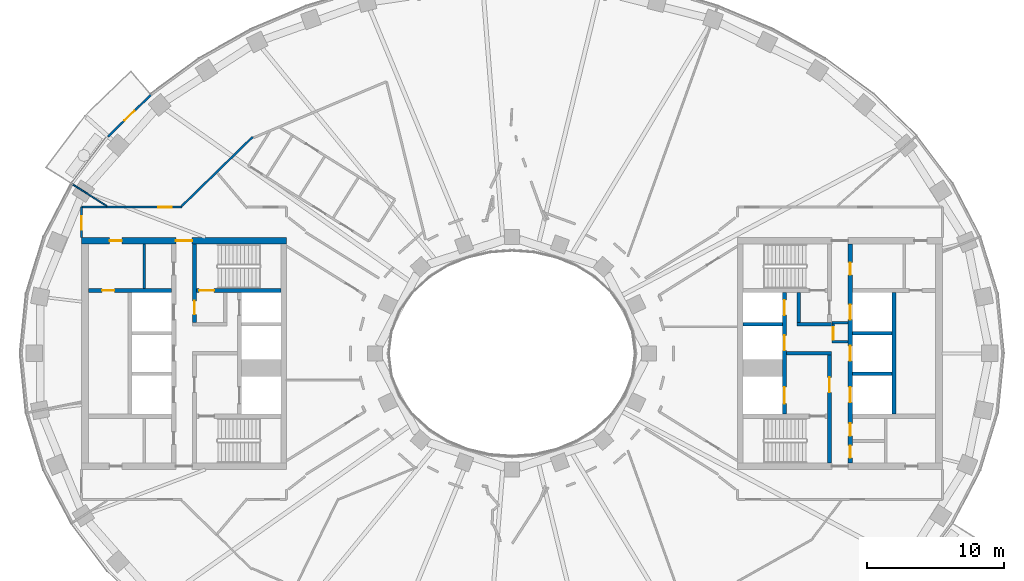
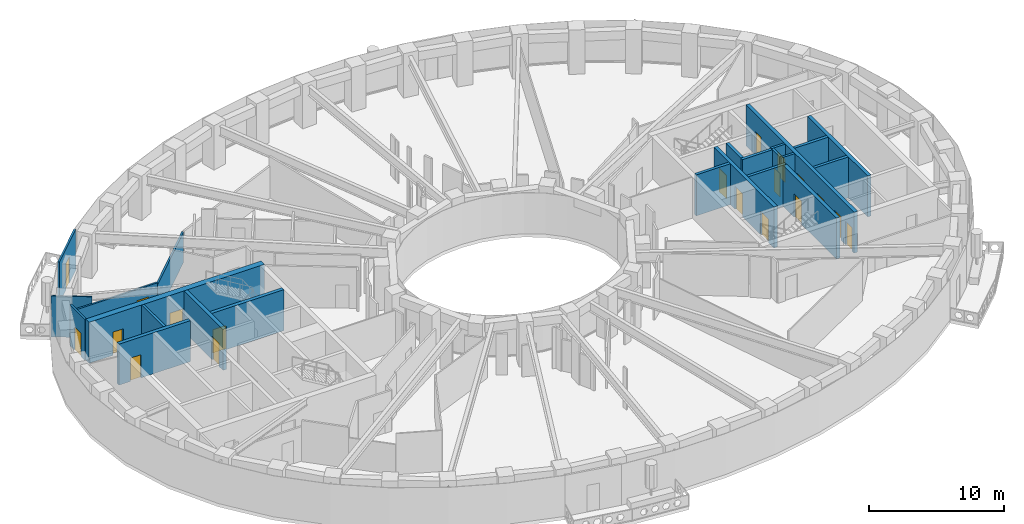
# One storey, part 5 of 16: 23 walls, 19 doors, 19 openings.
"""IFC4 building model written with IfcOpenShell, lengths in metres."""

import ifcopenshell
import ifcopenshell.guid

model = None  # the IFC model being written
_history = None  # IfcOwnerHistory: only IFC2X3 demands one
_inside = {}  # id of a spatial element -> (the spatial element, [elements in it])
_under = {}  # id of a project, library or spatial element -> (it, [spatial elements below it])
_declared = {}  # id of a project -> (the project, [libraries it declares])
_typed = {}  # id of a type object -> (the type object, [elements of that type])
_made_of = {}  # id of a material, layer set ... -> (it, [elements and type objects made of it])


def new_model(schema):
    """Start an empty IFC model of exactly this schema.

    Asked for "IFC4X3", IfcOpenShell would pick the latest addendum, in which some entities
    have other attributes; the version numbers below select the first issue.
    IFC2X3 requires an IfcOwnerHistory on every rooted entity: one is made here for all.
    """
    global model, _history
    if schema == "IFC4X3":
        model = ifcopenshell.file(schema_version=(4, 3, 0, 0))
    else:
        model = ifcopenshell.file(schema=schema)
    _inside.clear()
    _under.clear()
    _declared.clear()
    _typed.clear()
    _made_of.clear()
    _history = None
    if model.schema == "IFC2X3":
        org = make("IfcOrganization", Name="unknown")
        user = make(
            "IfcPersonAndOrganization",
            ThePerson=make("IfcPerson", FamilyName="unknown"),
            TheOrganization=org,
        )
        app = make(
            "IfcApplication",
            ApplicationDeveloper=org,
            Version="unknown",
            ApplicationFullName="unknown",
            ApplicationIdentifier="unknown",
        )
        _history = make(
            "IfcOwnerHistory",
            OwningUser=user,
            OwningApplication=app,
            ChangeAction="ADDED",
            CreationDate=0,
        )
    return model


def make(cls, **values):
    """One entity of the class cls with the attributes given. An attribute that is None is left unset."""
    return model.create_entity(
        cls, **{name: value for name, value in values.items() if value is not None}
    )


def rooted(cls, **values):
    """An entity with a GlobalId (a new one), such as an element, a storey or a relation."""
    return make(cls, GlobalId=ifcopenshell.guid.new(), OwnerHistory=_history, **values)


def si_unit(unit_type, name, prefix=None):
    """IfcSIUnit, for example si_unit("LENGTHUNIT", "METRE", prefix="MILLI")."""
    return make("IfcSIUnit", UnitType=unit_type, Prefix=prefix, Name=name)


def assignment(units):
    """IfcUnitAssignment: the units of a project."""
    return None if units is None else make("IfcUnitAssignment", Units=units)


def point(xyz):
    """IfcCartesianPoint."""
    return None if xyz is None else make("IfcCartesianPoint", Coordinates=xyz)


def direction(xyz):
    """IfcDirection."""
    return None if xyz is None else make("IfcDirection", DirectionRatios=xyz)


def frame(location, z_axis=None, x_axis=None):
    """IfcAxis2Placement3D, a coordinate frame: its origin and axes. An axis left out is left unset."""
    return make(
        "IfcAxis2Placement3D",
        Location=point(location),
        Axis=direction(z_axis),
        RefDirection=direction(x_axis),
    )


def frame_2d(location, x_axis=None):
    """IfcAxis2Placement2D, a coordinate frame in the plane: its origin and x axis."""
    return make(
        "IfcAxis2Placement2D", Location=point(location), RefDirection=direction(x_axis)
    )


def origin():
    """The frame at (0, 0, 0) with its axes left unset."""
    return frame((0.0, 0.0, 0.0))


def place(relative_to, where):
    """IfcLocalPlacement: puts the frame where relative to a parent placement (None: the world)."""
    return make(
        "IfcLocalPlacement", PlacementRelTo=relative_to, RelativePlacement=where
    )


def context(
    kind, dimensions, precision=None, world=None, true_north=None, identifier=None
):
    """IfcGeometricRepresentationContext, for example the 3D "Model" context."""
    return make(
        "IfcGeometricRepresentationContext",
        ContextIdentifier=identifier,
        ContextType=kind,
        CoordinateSpaceDimension=dimensions,
        Precision=precision,
        WorldCoordinateSystem=world,
        TrueNorth=true_north,
    )


def subcontext(parent, identifier, kind, view, scale=None):
    """IfcGeometricRepresentationSubContext, for example "Body" below "Model"."""
    return make(
        "IfcGeometricRepresentationSubContext",
        ContextIdentifier=identifier,
        ContextType=kind,
        ParentContext=parent,
        TargetScale=scale,
        TargetView=view,
    )


def project(units=None, contexts=None):
    """IfcProject with its units and contexts."""
    return rooted(
        "IfcProject",
        Name="project",
        RepresentationContexts=contexts,
        UnitsInContext=assignment(units),
    )


def spatial(cls, under=None, at=None, **own):
    """A site, building, storey or space (cls), placed at a placement, below another one or the project."""
    s = rooted(cls, ObjectPlacement=at, **own)
    if under is not None:
        _under.setdefault(under.id(), (under, []))[1].append(s)
    return s


def profile(cls, at=None, kind="AREA", **sizes):
    """A parametric profile (cls). Its sizes go by their IFC names, for example OverallWidth=200.0."""
    return make(cls, ProfileType=kind, Position=at, **sizes)


def rectangle(**sizes):
    """IfcRectangleProfileDef."""
    return profile("IfcRectangleProfileDef", **sizes)


def extrude(swept, where, along, depth):
    """IfcExtrudedAreaSolid: the profile swept, set in the frame where, extruded along a direction by depth."""
    return make(
        "IfcExtrudedAreaSolid",
        SweptArea=swept,
        Position=where,
        ExtrudedDirection=direction(along),
        Depth=depth,
    )


def shape(context_of_items, identifier, shape_type, items):
    """IfcShapeRepresentation: the items that make up one representation, for example the "Body"."""
    return make(
        "IfcShapeRepresentation",
        ContextOfItems=context_of_items,
        RepresentationIdentifier=identifier,
        RepresentationType=shape_type,
        Items=items,
    )


def material(Name=None, Category=None):
    """IfcMaterial."""
    return make("IfcMaterial", Name=Name, Category=Category)


def layer(
    of_material, thickness, ventilated=None, Name=None, Category=None, Priority=None
):
    """IfcMaterialLayer: one layer of a wall or slab, of a material (None: an air gap)."""
    return make(
        "IfcMaterialLayer",
        Material=of_material,
        LayerThickness=thickness,
        IsVentilated=ventilated,
        Name=Name,
        Category=Category,
        Priority=Priority,
    )


def layer_set(layers, Name=None):
    """IfcMaterialLayerSet."""
    return make("IfcMaterialLayerSet", MaterialLayers=layers, LayerSetName=Name)


def made_of(thing, what):
    """Note that an element or type object is made of a material, layer set ...; save() writes the relation."""
    if what is not None:
        _made_of.setdefault(what.id(), (what, []))[1].append(thing)
    return thing


def type_object(cls, material=None, **own):
    """A type object (cls), such as IfcWallType, which elements share."""
    return made_of(rooted(cls, **own), material)


def element(
    cls,
    number,
    at=None,
    inside=None,
    cuts=None,
    type_object=None,
    material=None,
    context=None,
    identifier="Body",
    shape_type=None,
    held_by="IfcProductDefinitionShape",
    body=None,
    shapes=None,
    **own,
):
    """One element of the class cls, such as IfcWall. Its Tag is "e" and its number.

    at: its placement. inside: the storey or other place that contains it. cuts: it is an
    opening in that element (IfcRelVoidsElement). A single representation is given by context,
    identifier, shape_type and body (its items); several are given by shapes. held_by: the class
    of the entity that holds the representations. save() writes the other relations.
    """
    e = rooted(cls, Tag="e%d" % number, ObjectPlacement=at, **own)
    if body is not None:
        shapes = [shape(context, identifier, shape_type, body)]
    if shapes is not None:
        e.Representation = make(held_by, Representations=shapes)
    if inside is not None:
        _inside.setdefault(inside.id(), (inside, []))[1].append(e)
    if cuts is not None:
        rooted(
            "IfcRelVoidsElement", RelatingBuildingElement=cuts, RelatedOpeningElement=e
        )
    if type_object is not None:
        _typed.setdefault(type_object.id(), (type_object, []))[1].append(e)
    return made_of(e, material)


def fill(opening, filler):
    """IfcRelFillsElement: the door or window that sits in an opening."""
    return rooted(
        "IfcRelFillsElement",
        RelatingOpeningElement=opening,
        RelatedBuildingElement=filler,
    )


def aggregate(whole, parts):
    """IfcRelAggregates: a whole, such as a stair, and the parts it consists of."""
    return rooted("IfcRelAggregates", RelatingObject=whole, RelatedObjects=parts)


def save(model, path):
    """Write the relations noted so far, then the file.

    IfcRelAggregates (storeys below a building ...), IfcRelContainedInSpatialStructure (elements
    in a storey), IfcRelDefinesByType, IfcRelAssociatesMaterial and IfcRelDeclares: one each for
    every whole, place, type object, material and project.
    """
    for whole, parts in _under.values():
        aggregate(whole, parts)
    for where, things in _inside.values():
        rooted(
            "IfcRelContainedInSpatialStructure",
            RelatedElements=things,
            RelatingStructure=where,
        )
    for kind, things in _typed.values():
        rooted("IfcRelDefinesByType", RelatedObjects=things, RelatingType=kind)
    for what, things in _made_of.values():
        rooted("IfcRelAssociatesMaterial", RelatedObjects=things, RelatingMaterial=what)
    for by, libraries in _declared.values():
        rooted("IfcRelDeclares", RelatingContext=by, RelatedDefinitions=libraries)
    model.write(path)


model = new_model("IFC4")

# Units and contexts
model_context = context("Model", 3, precision=1e-05, world=origin(), true_north=direction((0.0, 1.0)))
body_context = subcontext(model_context, "Body", "Model", "MODEL_VIEW")
ifc_project = project(units=[si_unit("LENGTHUNIT", "METRE"), si_unit("AREAUNIT", "SQUARE_METRE"), si_unit("VOLUMEUNIT", "CUBIC_METRE"), si_unit("PLANEANGLEUNIT", "RADIAN"), si_unit("MASSUNIT", "GRAM", prefix="KILO")], contexts=[model_context])

# Site, building, storey
site_placement = place(None, origin())
site = spatial("IfcSite", under=ifc_project, at=site_placement, CompositionType="ELEMENT")
building_placement = place(site_placement, origin())
building = spatial("IfcBuilding", under=site, at=building_placement, Name="Noorbagh Ring Tower", CompositionType="ELEMENT")
storey_placement = place(building_placement, frame((0.0, 0.0, 154.0)))
storey = spatial("IfcBuildingStorey", under=building, at=storey_placement, Name="L35", CompositionType="ELEMENT", Elevation=154.0)

# Walls
ifc_material_1 = material(Name="Gypsum board on steel studs", Category="steel")
ifc_layer_1 = layer(ifc_material_1, 0.199951171875)
ifc_layer_set_1 = layer_set([ifc_layer_1], Name="Gypsum board on steel studs")
wall_type_1 = type_object("IfcWallType", Name="CORE-PARTITION-200", PredefinedType="PARTITIONING", material=ifc_layer_set_1)
wall_1_placement = place(storey_placement, frame((-26.89990234375, 4.75, 0.0), z_axis=(0.0, 0.0, 1.0), x_axis=(0.0, 1.0, 0.0)))
element("IfcWall", 1, at=wall_1_placement, inside=storey, type_object=wall_type_1, Name="Core partition W", PredefinedType="PARTITIONING", context=body_context, shape_type="SweptSolid", body=[
    extrude(rectangle(XDim=3.25, YDim=0.199951171875, at=frame_2d((1.625, 0.0))), origin(), (0.0, 0.0, 1.0), 3.699951171875),
])
for number, where, z_axis, x_axis, name in (
    (2, (23.39990234375, 0.85009765625, 0.0), (0.0, 0.0, 1.0), (1.0, 0.0, 0.0), "Core partition E"),
    (3, (23.39990234375, 2.25, 0.0), (0.0, 0.0, 1.0), (1.0, 0.0, 0.0), "Core partition E"),
):
    element("IfcWall", number, at=place(storey_placement, frame(where, z_axis=z_axis, x_axis=x_axis)), inside=storey, type_object=wall_type_1, Name=name, PredefinedType="PARTITIONING", context=body_context, shape_type="SweptSolid", body=[
        extrude(rectangle(XDim=1.2001953125, YDim=0.199951171875, at=frame_2d((0.60009765625, 0.0))), origin(), (0.0, 0.0, 1.0), 3.699951171875),
    ])

# Wall, opening, door
wall_2_placement = place(storey_placement, frame((23.5, 0.75, 0.0), z_axis=(0.0, 0.0, 1.0), x_axis=(0.0, 1.0, 0.0)))
wall_2 = element("IfcWall", 4, at=wall_2_placement, inside=storey, type_object=wall_type_1, Name="Core partition E", PredefinedType="PARTITIONING", context=body_context, shape_type="SweptSolid", body=[
    extrude(rectangle(XDim=1.60009765625, YDim=0.199951171875, at=frame_2d((0.800048828125, 0.0))), origin(), (0.0, 0.0, 1.0), 3.699951171875),
])
opening_1_placement = place(wall_2_placement, frame((0.25, 0.0, 0.0)))
opening_1 = element("IfcOpeningElement", 5, at=opening_1_placement, cuts=wall_2, Name="Opening L35-CE18", PredefinedType="OPENING", context=body_context, shape_type="SweptSolid", body=[
    extrude(rectangle(XDim=0.89990234375, YDim=2.10009765625, at=frame_2d((0.449951171875, 1.050048828125))), frame((0.0, 0.10986328125, 0.0), z_axis=(0.0, -1.0, 0.0), x_axis=(1.0, 0.0, 0.0)), (0.0, 0.0, 1.0), 0.219970703125),
])
ifc_material_2 = material(Name="Steel door leaf", Category="steel")
door_type_1 = type_object("IfcDoorType", Name="CORE-DOOR-DROOM", OperationType="SINGLE_SWING_LEFT", PredefinedType="DOOR", material=ifc_material_2)
door_1_placement = place(opening_1_placement, origin())
door_1 = element("IfcDoor", 6, at=door_1_placement, inside=storey, type_object=door_type_1, Name="Core room door L35-CE18", OperationType="SINGLE_SWING_LEFT", OverallHeight=2.10009765625, OverallWidth=0.89990234375, PredefinedType="DOOR", context=body_context, shape_type="SweptSolid", body=[
    extrude(rectangle(XDim=0.89990234375, YDim=2.10009765625, at=frame_2d((0.449951171875, 1.050048828125))), frame((0.0, 0.02490234375, 0.0), z_axis=(0.0, -1.0, 0.0), x_axis=(1.0, 0.0, 0.0)), (0.0, 0.0, 1.0), 0.050048828125),
])
fill(opening_1, door_1)

# Walls
ifc_material_3 = material(Name="Concrete C60/75", Category="concrete")
ifc_layer_2 = layer(ifc_material_3, 0.25)
ifc_layer_set_2 = layer_set([ifc_layer_2], Name="Concrete C60/75")
wall_type_2 = type_object("IfcWallType", Name="CORE-WALL-250-C60-75-EI120", PredefinedType="SHEAR", material=ifc_layer_set_2)
for number, where, z_axis, x_axis, name in (
    (7, (16.89990234375, 2.125, 0.0), (0.0, 0.0, 1.0), (1.0, 0.0, 0.0), "Core wall E"),
    (8, (24.89990234375, -1.47509765625, 0.0), (0.0, 0.0, 1.0), (1.0, 0.0, 0.0), "Core wall E"),
    (9, (24.89990234375, 1.47509765625, 0.0), (0.0, 0.0, 1.0), (1.0, 0.0, 0.0), "Core wall E"),
):
    element("IfcWall", number, at=place(storey_placement, frame(where, z_axis=z_axis, x_axis=x_axis)), inside=storey, type_object=wall_type_2, Name=name, PredefinedType="SHEAR", context=body_context, shape_type="SweptSolid", body=[
        extrude(rectangle(XDim=2.900146484375, YDim=0.25, at=frame_2d((1.4501953125, 0.0))), origin(), (0.0, 0.0, 1.0), 3.699951171875),
    ])
ifc_material_4 = material(Name="Concrete C60/75", Category="concrete")
ifc_layer_3 = layer(ifc_material_4, 0.25)
ifc_layer_set_3 = layer_set([ifc_layer_3], Name="Concrete C60/75")
wall_type_3 = type_object("IfcWallType", Name="CORE-WALL-250-C60-75-EI240", PredefinedType="SHEAR", material=ifc_layer_set_3)
wall_3_placement = place(storey_placement, frame((20.10009765625, 0.0, 0.0), z_axis=(0.0, 0.0, 1.0), x_axis=(1.0, 0.0, 0.0)))
element("IfcWall", 10, at=wall_3_placement, inside=storey, type_object=wall_type_3, Name="Core wall E", PredefinedType="SHEAR", context=body_context, shape_type="SweptSolid", body=[
    extrude(rectangle(XDim=3.27978515625, YDim=0.25, at=frame_2d((1.639892578125, 0.0))), origin(), (0.0, 0.0, 1.0), 3.699951171875),
])
wall_4_placement = place(storey_placement, frame((20.85009765625, 2.125, 0.0), z_axis=(0.0, 0.0, 1.0), x_axis=(1.0, 0.0, 0.0)))
element("IfcWall", 11, at=wall_4_placement, inside=storey, type_object=wall_type_3, Name="Core wall E", PredefinedType="SHEAR", context=body_context, shape_type="SweptSolid", body=[
    extrude(rectangle(XDim=2.52978515625, YDim=0.25, at=frame_2d((1.264892578125, 0.0))), origin(), (0.0, 0.0, 1.0), 3.699951171875),
])
wall_5_placement = place(storey_placement, frame((20.97509765625, 2.25, 0.0), z_axis=(0.0, 0.0, 1.0), x_axis=(0.0, 1.0, 0.0)))
element("IfcWall", 12, at=wall_5_placement, inside=storey, type_object=wall_type_3, Name="Core wall E", PredefinedType="SHEAR", context=body_context, shape_type="SweptSolid", body=[
    extrude(rectangle(XDim=2.199951171875, YDim=0.25, at=frame_2d((1.10009765625, 0.0))), origin(), (0.0, 0.0, 1.0), 3.699951171875),
])
ifc_material_5 = material(Name="Concrete C60/75", Category="concrete")
ifc_layer_4 = layer(ifc_material_5, 0.300048828125)
ifc_layer_set_4 = layer_set([ifc_layer_4], Name="Concrete C60/75")
wall_type_4 = type_object("IfcWallType", Name="CORE-WALL-300-C60-75-EI120", PredefinedType="SHEAR", material=ifc_layer_set_4)
wall_6_placement = place(storey_placement, frame((27.949951171875, -4.449951171875, 0.0), z_axis=(0.0, 0.0, 1.0), x_axis=(0.0, 1.0, 0.0)))
element("IfcWall", 13, at=wall_6_placement, inside=storey, type_object=wall_type_4, Name="Core wall E", PredefinedType="SHEAR", context=body_context, shape_type="SweptSolid", body=[
    extrude(rectangle(XDim=8.89990234375, YDim=0.300048828125, at=frame_2d((4.449951171875, 0.0))), origin(), (0.0, 0.0, 1.0), 3.699951171875),
])

# Wall, openings, doors
wall_7_placement = place(storey_placement, frame((19.949951171875, -4.449951171875, 0.0), z_axis=(0.0, 0.0, 1.0), x_axis=(0.0, 1.0, 0.0)))
wall_7 = element("IfcWall", 14, at=wall_7_placement, inside=storey, type_object=wall_type_4, Name="Core wall E", PredefinedType="SHEAR", context=body_context, shape_type="SweptSolid", body=[
    extrude(rectangle(XDim=8.89990234375, YDim=0.300048828125, at=frame_2d((4.449951171875, 0.0))), origin(), (0.0, 0.0, 1.0), 3.699951171875),
])
opening_2_placement = place(wall_7_placement, frame((0.77490234375, 0.0, 0.0)))
opening_2 = element("IfcOpeningElement", 15, at=opening_2_placement, cuts=wall_7, Name="Opening L35-CE01", PredefinedType="OPENING", context=body_context, shape_type="SweptSolid", body=[
    extrude(rectangle(XDim=1.199951171875, YDim=2.10009765625, at=frame_2d((0.60009765625, 1.050048828125))), frame((0.0, 0.16015625, 0.0), z_axis=(0.0, -1.0, 0.0), x_axis=(1.0, 0.0, 0.0)), (0.0, 0.0, 1.0), 0.320068359375),
])
opening_3_placement = place(wall_7_placement, frame((4.675048828125, 0.0, 0.0)))
opening_3 = element("IfcOpeningElement", 16, at=opening_3_placement, cuts=wall_7, Name="Opening L35-CE02", PredefinedType="OPENING", context=body_context, shape_type="SweptSolid", body=[
    extrude(rectangle(XDim=1.10009765625, YDim=2.10009765625, at=frame_2d((0.550048828125, 1.050048828125))), frame((0.0, 0.16015625, 0.0), z_axis=(0.0, -1.0, 0.0), x_axis=(1.0, 0.0, 0.0)), (0.0, 0.0, 1.0), 0.320068359375),
])
opening_4_placement = place(wall_7_placement, frame((7.25, 0.0, 0.0)))
opening_4 = element("IfcOpeningElement", 17, at=opening_4_placement, cuts=wall_7, Name="Opening L35-CE03", PredefinedType="OPENING", context=body_context, shape_type="SweptSolid", body=[
    extrude(rectangle(XDim=1.10009765625, YDim=2.10009765625, at=frame_2d((0.550048828125, 1.050048828125))), frame((0.0, 0.16015625, 0.0), z_axis=(0.0, -1.0, 0.0), x_axis=(1.0, 0.0, 0.0)), (0.0, 0.0, 1.0), 0.320068359375),
])
ifc_material_6 = material(Name="Steel door leaf", Category="steel")
door_type_2 = type_object("IfcDoorType", Name="CORE-DOOR-LD", OperationType="DOUBLE_DOOR_SLIDING", PredefinedType="DOOR", material=ifc_material_6)
door_2_placement = place(opening_3_placement, origin())
door_2 = element("IfcDoor", 18, at=door_2_placement, inside=storey, type_object=door_type_2, Name="Landing door HR7 L35-CE02", OperationType="DOUBLE_DOOR_SLIDING", OverallHeight=2.10009765625, OverallWidth=1.10009765625, PredefinedType="DOOR", context=body_context, shape_type="SweptSolid", body=[
    extrude(rectangle(XDim=1.10009765625, YDim=2.10009765625, at=frame_2d((0.550048828125, 1.050048828125))), frame((0.0, 0.02490234375, 0.0), z_axis=(0.0, -1.0, 0.0), x_axis=(1.0, 0.0, 0.0)), (0.0, 0.0, 1.0), 0.050048828125),
])
fill(opening_3, door_2)
door_3_placement = place(opening_4_placement, origin())
door_3 = element("IfcDoor", 19, at=door_3_placement, inside=storey, type_object=door_type_2, Name="Landing door HR8 L35-CE03", OperationType="DOUBLE_DOOR_SLIDING", OverallHeight=2.10009765625, OverallWidth=1.10009765625, PredefinedType="DOOR", context=body_context, shape_type="SweptSolid", body=[
    extrude(rectangle(XDim=1.10009765625, YDim=2.10009765625, at=frame_2d((0.550048828125, 1.050048828125))), frame((0.0, 0.02490234375, 0.0), z_axis=(0.0, -1.0, 0.0), x_axis=(1.0, 0.0, 0.0)), (0.0, 0.0, 1.0), 0.050048828125),
])
fill(opening_4, door_3)
ifc_material_7 = material(Name="Steel door leaf", Category="steel")
door_type_3 = type_object("IfcDoorType", Name="CORE-DOOR-LDW", OperationType="DOUBLE_DOOR_SLIDING", PredefinedType="DOOR", material=ifc_material_7)
door_4_placement = place(opening_2_placement, origin())
door_4 = element("IfcDoor", 20, at=door_4_placement, inside=storey, type_object=door_type_3, Name="Landing door FF2 L35-CE01", OperationType="DOUBLE_DOOR_SLIDING", OverallHeight=2.10009765625, OverallWidth=1.199951171875, PredefinedType="DOOR", context=body_context, shape_type="SweptSolid", body=[
    extrude(rectangle(XDim=1.199951171875, YDim=2.10009765625, at=frame_2d((0.60009765625, 1.050048828125))), frame((0.0, 0.02490234375, 0.0), z_axis=(0.0, -1.0, 0.0), x_axis=(1.0, 0.0, 0.0)), (0.0, 0.0, 1.0), 0.050048828125),
])
fill(opening_2, door_4)

wall_8_placement = place(storey_placement, frame((24.75, -8.0, 0.0), z_axis=(0.0, 0.0, 1.0), x_axis=(0.0, 1.0, 0.0)))
wall_8 = element("IfcWall", 21, at=wall_8_placement, inside=storey, type_object=wall_type_4, Name="Core wall E", PredefinedType="SHEAR", context=body_context, shape_type="SweptSolid", body=[
    extrude(rectangle(XDim=16.0, YDim=0.300048828125, at=frame_2d((8.0, 0.0))), origin(), (0.0, 0.0, 1.0), 3.699951171875),
])
opening_5_placement = place(wall_8_placement, frame((4.425048828125, 0.0, 0.0)))
opening_5 = element("IfcOpeningElement", 22, at=opening_5_placement, cuts=wall_8, Name="Opening L35-CE04", PredefinedType="OPENING", context=body_context, shape_type="SweptSolid", body=[
    extrude(rectangle(XDim=1.10009765625, YDim=2.10009765625, at=frame_2d((0.550048828125, 1.050048828125))), frame((0.0, 0.16015625, 0.0), z_axis=(0.0, -1.0, 0.0), x_axis=(1.0, 0.0, 0.0)), (0.0, 0.0, 1.0), 0.320068359375),
])
opening_6_placement = place(wall_8_placement, frame((7.449951171875, 0.0, 0.0)))
opening_6 = element("IfcOpeningElement", 23, at=opening_6_placement, cuts=wall_8, Name="Opening L35-CE05", PredefinedType="OPENING", context=body_context, shape_type="SweptSolid", body=[
    extrude(rectangle(XDim=1.10009765625, YDim=2.10009765625, at=frame_2d((0.550048828125, 1.050048828125))), frame((0.0, 0.16015625, 0.0), z_axis=(0.0, -1.0, 0.0), x_axis=(1.0, 0.0, 0.0)), (0.0, 0.0, 1.0), 0.320068359375),
])
opening_7_placement = place(wall_8_placement, frame((10.47509765625, 0.0, 0.0)))
opening_7 = element("IfcOpeningElement", 24, at=opening_7_placement, cuts=wall_8, Name="Opening L35-CE06", PredefinedType="OPENING", context=body_context, shape_type="SweptSolid", body=[
    extrude(rectangle(XDim=1.10009765625, YDim=2.10009765625, at=frame_2d((0.550048828125, 1.050048828125))), frame((0.0, 0.16015625, 0.0), z_axis=(0.0, -1.0, 0.0), x_axis=(1.0, 0.0, 0.0)), (0.0, 0.0, 1.0), 0.320068359375),
])
opening_8_placement = place(wall_8_placement, frame((13.75, 0.0, 0.0)))
opening_8 = element("IfcOpeningElement", 25, at=opening_8_placement, cuts=wall_8, Name="Opening L35-CE13", PredefinedType="OPENING", context=body_context, shape_type="SweptSolid", body=[
    extrude(rectangle(XDim=0.89990234375, YDim=2.10009765625, at=frame_2d((0.449951171875, 1.050048828125))), frame((0.0, 0.16015625, 0.0), z_axis=(0.0, -1.0, 0.0), x_axis=(1.0, 0.0, 0.0)), (0.0, 0.0, 1.0), 0.320068359375),
])
opening_9_placement = place(wall_8_placement, frame((1.97509765625, 0.0, 0.0)))
opening_9 = element("IfcOpeningElement", 26, at=opening_9_placement, cuts=wall_8, Name="Opening L35-CE15", PredefinedType="OPENING", context=body_context, shape_type="SweptSolid", body=[
    extrude(rectangle(XDim=0.89990234375, YDim=2.10009765625, at=frame_2d((0.449951171875, 1.050048828125))), frame((0.0, 0.16015625, 0.0), z_axis=(0.0, -1.0, 0.0), x_axis=(1.0, 0.0, 0.0)), (0.0, 0.0, 1.0), 0.320068359375),
])
opening_10_placement = place(wall_8_placement, frame((0.35009765625, 0.0, 0.0)))
opening_10 = element("IfcOpeningElement", 27, at=opening_10_placement, cuts=wall_8, Name="Opening L35-CE16", PredefinedType="OPENING", context=body_context, shape_type="SweptSolid", body=[
    extrude(rectangle(XDim=0.89990234375, YDim=2.10009765625, at=frame_2d((0.449951171875, 1.050048828125))), frame((0.0, 0.16015625, 0.0), z_axis=(0.0, -1.0, 0.0), x_axis=(1.0, 0.0, 0.0)), (0.0, 0.0, 1.0), 0.320068359375),
])
door_5_placement = place(opening_8_placement, origin())
door_5 = element("IfcDoor", 28, at=door_5_placement, inside=storey, type_object=door_type_1, Name="Core room door L35-CE13", OperationType="SINGLE_SWING_LEFT", OverallHeight=2.10009765625, OverallWidth=0.89990234375, PredefinedType="DOOR", context=body_context, shape_type="SweptSolid", body=[
    extrude(rectangle(XDim=0.89990234375, YDim=2.10009765625, at=frame_2d((0.449951171875, 1.050048828125))), frame((0.0, 0.02490234375, 0.0), z_axis=(0.0, -1.0, 0.0), x_axis=(1.0, 0.0, 0.0)), (0.0, 0.0, 1.0), 0.050048828125),
])
fill(opening_8, door_5)
door_6_placement = place(opening_9_placement, origin())
door_6 = element("IfcDoor", 29, at=door_6_placement, inside=storey, type_object=door_type_1, Name="Core room door L35-CE15", OperationType="SINGLE_SWING_LEFT", OverallHeight=2.10009765625, OverallWidth=0.89990234375, PredefinedType="DOOR", context=body_context, shape_type="SweptSolid", body=[
    extrude(rectangle(XDim=0.89990234375, YDim=2.10009765625, at=frame_2d((0.449951171875, 1.050048828125))), frame((0.0, 0.02490234375, 0.0), z_axis=(0.0, -1.0, 0.0), x_axis=(1.0, 0.0, 0.0)), (0.0, 0.0, 1.0), 0.050048828125),
])
fill(opening_9, door_6)
door_7_placement = place(opening_10_placement, origin())
door_7 = element("IfcDoor", 30, at=door_7_placement, inside=storey, type_object=door_type_1, Name="Core room door L35-CE16", OperationType="SINGLE_SWING_RIGHT", OverallHeight=2.10009765625, OverallWidth=0.89990234375, PredefinedType="DOOR", context=body_context, shape_type="SweptSolid", body=[
    extrude(rectangle(XDim=0.89990234375, YDim=2.10009765625, at=frame_2d((0.449951171875, 1.050048828125))), frame((0.0, 0.02490234375, 0.0), z_axis=(0.0, -1.0, 0.0), x_axis=(1.0, 0.0, 0.0)), (0.0, 0.0, 1.0), 0.050048828125),
])
fill(opening_10, door_7)
door_8_placement = place(opening_5_placement, origin())
door_8 = element("IfcDoor", 31, at=door_8_placement, inside=storey, type_object=door_type_2, Name="Landing door HR9 L35-CE04", OperationType="DOUBLE_DOOR_SLIDING", OverallHeight=2.10009765625, OverallWidth=1.10009765625, PredefinedType="DOOR", context=body_context, shape_type="SweptSolid", body=[
    extrude(rectangle(XDim=1.10009765625, YDim=2.10009765625, at=frame_2d((0.550048828125, 1.050048828125))), frame((0.0, 0.02490234375, 0.0), z_axis=(0.0, -1.0, 0.0), x_axis=(1.0, 0.0, 0.0)), (0.0, 0.0, 1.0), 0.050048828125),
])
fill(opening_5, door_8)
door_9_placement = place(opening_6_placement, origin())
door_9 = element("IfcDoor", 32, at=door_9_placement, inside=storey, type_object=door_type_2, Name="Landing door HR10 L35-CE05", OperationType="DOUBLE_DOOR_SLIDING", OverallHeight=2.10009765625, OverallWidth=1.10009765625, PredefinedType="DOOR", context=body_context, shape_type="SweptSolid", body=[
    extrude(rectangle(XDim=1.10009765625, YDim=2.10009765625, at=frame_2d((0.550048828125, 1.050048828125))), frame((0.0, 0.02490234375, 0.0), z_axis=(0.0, -1.0, 0.0), x_axis=(1.0, 0.0, 0.0)), (0.0, 0.0, 1.0), 0.050048828125),
])
fill(opening_6, door_9)
door_10_placement = place(opening_7_placement, origin())
door_10 = element("IfcDoor", 33, at=door_10_placement, inside=storey, type_object=door_type_2, Name="Landing door HR11 L35-CE06", OperationType="DOUBLE_DOOR_SLIDING", OverallHeight=2.10009765625, OverallWidth=1.10009765625, PredefinedType="DOOR", context=body_context, shape_type="SweptSolid", body=[
    extrude(rectangle(XDim=1.10009765625, YDim=2.10009765625, at=frame_2d((0.550048828125, 1.050048828125))), frame((0.0, 0.02490234375, 0.0), z_axis=(0.0, -1.0, 0.0), x_axis=(1.0, 0.0, 0.0)), (0.0, 0.0, 1.0), 0.050048828125),
])
fill(opening_7, door_10)

# Wall, opening, door
ifc_material_8 = material(Name="Concrete C60/75", Category="concrete")
ifc_layer_5 = layer(ifc_material_8, 0.300048828125)
ifc_layer_set_5 = layer_set([ifc_layer_5], Name="Concrete C60/75")
wall_type_5 = type_object("IfcWallType", Name="CORE-WALL-300-C60-75-EI240", PredefinedType="SHEAR", material=ifc_layer_set_5)
wall_9_placement = place(storey_placement, frame((-24.89990234375, 4.60009765625, 0.0), z_axis=(0.0, 0.0, 1.0), x_axis=(-1.0, 0.0, 0.0)))
wall_9 = element("IfcWall", 34, at=wall_9_placement, inside=storey, type_object=wall_type_5, Name="Core wall W", PredefinedType="SHEAR", context=body_context, shape_type="SweptSolid", body=[
    extrude(rectangle(XDim=6.10009765625, YDim=0.300048828125, at=frame_2d((3.050048828125, 0.0))), origin(), (0.0, 0.0, 1.0), 3.699951171875),
])
opening_11_placement = place(wall_9_placement, frame((4.199951171875, 0.0, 0.0)))
opening_11 = element("IfcOpeningElement", 35, at=opening_11_placement, cuts=wall_9, Name="Opening L35-CW16", PredefinedType="OPENING", context=body_context, shape_type="SweptSolid", body=[
    extrude(rectangle(XDim=0.89990234375, YDim=2.10009765625, at=frame_2d((0.449951171875, 1.050048828125))), frame((0.0, 0.16015625, 0.0), z_axis=(0.0, -1.0, 0.0), x_axis=(1.0, 0.0, 0.0)), (0.0, 0.0, 1.0), 0.320068359375),
])
door_11_placement = place(opening_11_placement, origin())
door_11 = element("IfcDoor", 36, at=door_11_placement, inside=storey, type_object=door_type_1, Name="Core room door L35-CW16", OperationType="SINGLE_SWING_LEFT", OverallHeight=2.10009765625, OverallWidth=0.89990234375, PredefinedType="DOOR", context=body_context, shape_type="SweptSolid", body=[
    extrude(rectangle(XDim=0.89990234375, YDim=2.10009765625, at=frame_2d((0.449951171875, 1.050048828125))), frame((0.0, 0.02490234375, 0.0), z_axis=(0.0, -1.0, 0.0), x_axis=(1.0, 0.0, 0.0)), (0.0, 0.0, 1.0), 0.050048828125),
])
fill(opening_11, door_11)

wall_10_placement = place(storey_placement, frame((-23.22998046875, 2.25, 0.0), z_axis=(0.0, 0.0, 1.0), x_axis=(0.0, 1.0, 0.0)))
wall_10 = element("IfcWall", 37, at=wall_10_placement, inside=storey, type_object=wall_type_5, Name="Core wall W", PredefinedType="SHEAR", context=body_context, shape_type="SweptSolid", body=[
    extrude(rectangle(XDim=5.75, YDim=0.300048828125, at=frame_2d((2.875, 0.0))), origin(), (0.0, 0.0, 1.0), 3.699951171875),
])
opening_12_placement = place(wall_10_placement, frame((0.60009765625, 0.0, 0.0)))
opening_12 = element("IfcOpeningElement", 38, at=opening_12_placement, cuts=wall_10, Name="Opening L35-CW09", PredefinedType="OPENING", context=body_context, shape_type="SweptSolid", body=[
    extrude(rectangle(XDim=1.0, YDim=2.10009765625, at=frame_2d((0.5, 1.050048828125))), frame((0.0, 0.16015625, 0.0), z_axis=(0.0, -1.0, 0.0), x_axis=(1.0, 0.0, 0.0)), (0.0, 0.0, 1.0), 0.320068359375),
])
ifc_material_9 = material(Name="Steel door leaf", Category="steel")
door_type_4 = type_object("IfcDoorType", Name="CORE-DOOR-DVEST", OperationType="SINGLE_SWING_LEFT", PredefinedType="DOOR", material=ifc_material_9)
door_12_placement = place(opening_12_placement, origin())
door_12 = element("IfcDoor", 39, at=door_12_placement, inside=storey, type_object=door_type_4, Name="Stair vestibule door L35-CW09", OperationType="SINGLE_SWING_LEFT", OverallHeight=2.10009765625, OverallWidth=1.0, PredefinedType="DOOR", context=body_context, shape_type="SweptSolid", body=[
    extrude(rectangle(XDim=1.0, YDim=2.10009765625, at=frame_2d((0.5, 1.050048828125))), frame((0.0, 0.02490234375, 0.0), z_axis=(0.0, -1.0, 0.0), x_axis=(1.0, 0.0, 0.0)), (0.0, 0.0, 1.0), 0.050048828125),
])
fill(opening_12, door_12)

wall_11_placement = place(storey_placement, frame((-16.89990234375, 4.60009765625, 0.0), z_axis=(0.0, 0.0, 1.0), x_axis=(-1.0, 0.0, 0.0)))
wall_11 = element("IfcWall", 40, at=wall_11_placement, inside=storey, type_object=wall_type_5, Name="Core wall W", PredefinedType="SHEAR", context=body_context, shape_type="SweptSolid", body=[
    extrude(rectangle(XDim=6.18017578125, YDim=0.300048828125, at=frame_2d((3.090087890625, 0.0))), origin(), (0.0, 0.0, 1.0), 3.699951171875),
])
opening_13_placement = place(wall_11_placement, frame((4.89990234375, 0.0, 0.0)))
opening_13 = element("IfcOpeningElement", 41, at=opening_13_placement, cuts=wall_11, Name="Opening L35-CW06", PredefinedType="OPENING", context=body_context, shape_type="SweptSolid", body=[
    extrude(rectangle(XDim=1.10009765625, YDim=2.10009765625, at=frame_2d((0.550048828125, 1.050048828125))), frame((0.0, 0.16015625, 0.0), z_axis=(0.0, -1.0, 0.0), x_axis=(1.0, 0.0, 0.0)), (0.0, 0.0, 1.0), 0.320068359375),
])
ifc_material_10 = material(Name="Steel door leaf", Category="steel")
door_type_5 = type_object("IfcDoorType", Name="CORE-DOOR-DSTAIR", OperationType="SINGLE_SWING_LEFT", PredefinedType="DOOR", material=ifc_material_10)
door_13_placement = place(opening_13_placement, origin())
door_13 = element("IfcDoor", 42, at=door_13_placement, inside=storey, type_object=door_type_5, Name="Stair door ST1 L35-CW06", OperationType="SINGLE_SWING_RIGHT", OverallHeight=2.10009765625, OverallWidth=1.10009765625, PredefinedType="DOOR", context=body_context, shape_type="SweptSolid", body=[
    extrude(rectangle(XDim=1.10009765625, YDim=2.10009765625, at=frame_2d((0.550048828125, 1.050048828125))), frame((0.0, 0.02490234375, 0.0), z_axis=(0.0, -1.0, 0.0), x_axis=(1.0, 0.0, 0.0)), (0.0, 0.0, 1.0), 0.050048828125),
])
fill(opening_13, door_13)

wall_12_placement = place(storey_placement, frame((23.22998046875, -8.0, 0.0), z_axis=(0.0, 0.0, 1.0), x_axis=(0.0, 1.0, 0.0)))
wall_12 = element("IfcWall", 43, at=wall_12_placement, inside=storey, type_object=wall_type_5, Name="Core wall E", PredefinedType="SHEAR", context=body_context, shape_type="SweptSolid", body=[
    extrude(rectangle(XDim=7.875, YDim=0.300048828125, at=frame_2d((3.9375, 0.0))), origin(), (0.0, 0.0, 1.0), 3.699951171875),
])
opening_14_placement = place(wall_12_placement, frame((5.14990234375, 0.0, 0.0)))
opening_14 = element("IfcOpeningElement", 44, at=opening_14_placement, cuts=wall_12, Name="Opening L35-CE09", PredefinedType="OPENING", context=body_context, shape_type="SweptSolid", body=[
    extrude(rectangle(XDim=1.10009765625, YDim=2.10009765625, at=frame_2d((0.550048828125, 1.050048828125))), frame((0.0, 0.16015625, 0.0), z_axis=(0.0, -1.0, 0.0), x_axis=(1.0, 0.0, 0.0)), (0.0, 0.0, 1.0), 0.320068359375),
])
ifc_material_11 = material(Name="Steel door leaf", Category="steel")
door_type_6 = type_object("IfcDoorType", Name="CORE-DOOR-DFF", OperationType="SINGLE_SWING_LEFT", PredefinedType="DOOR", material=ifc_material_11)
door_14_placement = place(opening_14_placement, origin())
door_14 = element("IfcDoor", 45, at=door_14_placement, inside=storey, type_object=door_type_6, Name="Firefighting lobby door L35-CE09", OperationType="SINGLE_SWING_RIGHT", OverallHeight=2.10009765625, OverallWidth=1.10009765625, PredefinedType="DOOR", context=body_context, shape_type="SweptSolid", body=[
    extrude(rectangle(XDim=1.10009765625, YDim=2.10009765625, at=frame_2d((0.550048828125, 1.050048828125))), frame((0.0, 0.02490234375, 0.0), z_axis=(0.0, -1.0, 0.0), x_axis=(1.0, 0.0, 0.0)), (0.0, 0.0, 1.0), 0.050048828125),
])
fill(opening_14, door_14)

# Wall, openings, doors
ifc_material_12 = material(Name="Concrete C60/75", Category="concrete")
ifc_layer_6 = layer(ifc_material_12, 0.5)
ifc_layer_set_6 = layer_set([ifc_layer_6], Name="Concrete C60/75")
wall_type_6 = type_object("IfcWallType", Name="CORE-WALL-500-C60-75-EI240", PredefinedType="SHEAR", material=ifc_layer_set_6)
wall_13_placement = place(storey_placement, frame((-16.5, 8.25, 0.0), z_axis=(0.0, 0.0, 1.0), x_axis=(-1.0, 0.0, 0.0)))
wall_13 = element("IfcWall", 46, at=wall_13_placement, inside=storey, type_object=wall_type_6, Name="Core wall W", PredefinedType="SHEAR", context=body_context, shape_type="SweptSolid", body=[
    extrude(rectangle(XDim=15.0, YDim=0.5, at=frame_2d((7.5, 0.0))), origin(), (0.0, 0.0, 1.0), 3.699951171875),
])
opening_15_placement = place(wall_13_placement, frame((6.89990234375, 0.0, 0.0)))
opening_15 = element("IfcOpeningElement", 47, at=opening_15_placement, cuts=wall_13, Name="Opening L35-CW10", PredefinedType="OPENING", context=body_context, shape_type="SweptSolid", body=[
    extrude(rectangle(XDim=1.199951171875, YDim=2.10009765625, at=frame_2d((0.60009765625, 1.050048828125))), frame((0.0, 0.260009765625, 0.0), z_axis=(0.0, -1.0, 0.0), x_axis=(1.0, 0.0, 0.0)), (0.0, 0.0, 1.0), 0.52001953125),
])
opening_16_placement = place(wall_13_placement, frame((12.050048828125, 0.0, 0.0)))
opening_16 = element("IfcOpeningElement", 48, at=opening_16_placement, cuts=wall_13, Name="Opening L35-CW13", PredefinedType="OPENING", context=body_context, shape_type="SweptSolid", body=[
    extrude(rectangle(XDim=0.89990234375, YDim=2.10009765625, at=frame_2d((0.449951171875, 1.050048828125))), frame((0.0, 0.260009765625, 0.0), z_axis=(0.0, -1.0, 0.0), x_axis=(1.0, 0.0, 0.0)), (0.0, 0.0, 1.0), 0.52001953125),
])
door_15_placement = place(opening_16_placement, origin())
door_15 = element("IfcDoor", 49, at=door_15_placement, inside=storey, type_object=door_type_1, Name="Core room door L35-CW13", OperationType="SINGLE_SWING_RIGHT", OverallHeight=2.10009765625, OverallWidth=0.89990234375, PredefinedType="DOOR", context=body_context, shape_type="SweptSolid", body=[
    extrude(rectangle(XDim=0.89990234375, YDim=2.10009765625, at=frame_2d((0.449951171875, 1.050048828125))), frame((0.0, 0.02490234375, 0.0), z_axis=(0.0, -1.0, 0.0), x_axis=(1.0, 0.0, 0.0)), (0.0, 0.0, 1.0), 0.050048828125),
])
fill(opening_16, door_15)
ifc_material_13 = material(Name="Steel door leaf", Category="steel")
door_type_7 = type_object("IfcDoorType", Name="CORE-DOOR-PORT", OperationType="DOUBLE_DOOR_DOUBLE_SWING", PredefinedType="DOOR", material=ifc_material_13)
door_16_placement = place(opening_15_placement, origin())
door_16 = element("IfcDoor", 50, at=door_16_placement, inside=storey, type_object=door_type_7, Name="Core entrance door L35-CW10", OperationType="DOUBLE_DOOR_DOUBLE_SWING", OverallHeight=2.10009765625, OverallWidth=1.199951171875, PredefinedType="DOOR", context=body_context, shape_type="SweptSolid", body=[
    extrude(rectangle(XDim=1.199951171875, YDim=2.10009765625, at=frame_2d((0.60009765625, 1.050048828125))), frame((0.0, 0.02490234375, 0.0), z_axis=(0.0, -1.0, 0.0), x_axis=(1.0, 0.0, 0.0)), (0.0, 0.0, 1.0), 0.050048828125),
])
fill(opening_15, door_16)

# Wall, opening, door
ifc_material_14 = material(Name="Gypsum board on steel studs", Category="steel")
ifc_layer_7 = layer(ifc_material_14, 0.14990234375)
ifc_layer_set_7 = layer_set([ifc_layer_7], Name="Gypsum board on steel studs")
wall_type_7 = type_object("IfcWallType", Name="CORRIDOR PARTITION 150 EI 30", PredefinedType="PARTITIONING", material=ifc_layer_set_7)
wall_14_placement = place(storey_placement, frame((-31.5, 8.5, 0.0), z_axis=(0.0, 0.0, 1.0), x_axis=(0.0, 1.0, 0.0)))
wall_14 = element("IfcWall", 51, at=wall_14_placement, inside=storey, type_object=wall_type_7, Name="L35/wall/P06", PredefinedType="PARTITIONING", context=body_context, shape_type="SweptSolid", body=[
    extrude(rectangle(XDim=2.199951171875, YDim=0.14990234375, at=frame_2d((1.10009765625, 0.0))), origin(), (0.0, 0.0, 1.0), 3.699951171875),
])
opening_17_placement = place(wall_14_placement, frame((0.550048828125, 0.0, 0.0)))
opening_17 = element("IfcOpeningElement", 52, at=opening_17_placement, cuts=wall_14, Name="Opening D1", PredefinedType="OPENING", context=body_context, shape_type="SweptSolid", body=[
    extrude(rectangle(XDim=1.0, YDim=2.10009765625, at=frame_2d((0.5, 1.050048828125))), frame((0.0, 0.0849609375, 0.0), z_axis=(0.0, -1.0, 0.0), x_axis=(1.0, 0.0, 0.0)), (0.0, 0.0, 1.0), 0.169921875),
])
ifc_material_15 = material(Name="Timber, painted", Category="wood")
door_type_8 = type_object("IfcDoorType", Name="DOOR 1000 X 2100 FD30", OperationType="SINGLE_SWING_LEFT", PredefinedType="DOOR", material=ifc_material_15)
door_17_placement = place(opening_17_placement, origin())
door_17 = element("IfcDoor", 53, at=door_17_placement, inside=storey, type_object=door_type_8, Name="L35-D07", OperationType="SINGLE_SWING_LEFT", OverallHeight=2.10009765625, OverallWidth=1.0, PredefinedType="DOOR", context=body_context, shape_type="SweptSolid", body=[
    extrude(rectangle(XDim=1.0, YDim=2.10009765625, at=frame_2d((0.5, 1.050048828125))), frame((0.0, 0.02490234375, 0.0), z_axis=(0.0, -1.0, 0.0), x_axis=(1.0, 0.0, 0.0)), (0.0, 0.0, 1.0), 0.050048828125),
])
fill(opening_17, door_17)

wall_15_placement = place(storey_placement, frame((-31.5, 10.699951171875, 0.0), z_axis=(0.0, 0.0, 1.0), x_axis=(1.0, 0.0, 0.0)))
wall_15 = element("IfcWall", 54, at=wall_15_placement, inside=storey, type_object=wall_type_7, Name="L35/wall/P07", PredefinedType="PARTITIONING", context=body_context, shape_type="SweptSolid", body=[
    extrude(rectangle(XDim=7.361083984375, YDim=0.14990234375, at=frame_2d((3.6806640625, 0.0))), origin(), (0.0, 0.0, 1.0), 3.10009765625),
])
opening_18_placement = place(wall_15_placement, frame((5.60400390625, 0.0, 0.0)))
opening_18 = element("IfcOpeningElement", 55, at=opening_18_placement, cuts=wall_15, Name="Opening D1", PredefinedType="OPENING", context=body_context, shape_type="SweptSolid", body=[
    extrude(rectangle(XDim=1.0, YDim=2.10009765625, at=frame_2d((0.5, 1.050048828125))), frame((0.0, 0.0849609375, 0.0), z_axis=(0.0, -1.0, 0.0), x_axis=(1.0, 0.0, 0.0)), (0.0, 0.0, 1.0), 0.169921875),
])
door_18_placement = place(opening_18_placement, origin())
door_18 = element("IfcDoor", 56, at=door_18_placement, inside=storey, type_object=door_type_8, Name="L35-D09", OperationType="SINGLE_SWING_LEFT", OverallHeight=2.10009765625, OverallWidth=1.0, PredefinedType="DOOR", context=body_context, shape_type="SweptSolid", body=[
    extrude(rectangle(XDim=1.0, YDim=2.10009765625, at=frame_2d((0.5, 1.050048828125))), frame((0.0, 0.02490234375, 0.0), z_axis=(0.0, -1.0, 0.0), x_axis=(1.0, 0.0, 0.0)), (0.0, 0.0, 1.0), 0.050048828125),
])
fill(opening_18, door_18)

# Wall
wall_16_placement = place(storey_placement, frame((-24.166015625, 10.778076171875, 0.0), z_axis=(0.0, 0.0, 1.0), x_axis=(0.715834142481, 0.698270349119, 0.0)))
element("IfcWall", 57, at=wall_16_placement, inside=storey, type_object=wall_type_7, Name="L35/wall/P09", PredefinedType="PARTITIONING", context=body_context, shape_type="SweptSolid", body=[
    extrude(rectangle(XDim=7.241943359375, YDim=0.14990234375, at=frame_2d((3.62109375, 0.0))), origin(), (0.0, 0.0, 1.0), 2.75),
])

# Wall, opening, door
ifc_material_16 = material(Name="Insulated aluminium clad panel", Category="aluminium")
ifc_layer_8 = layer(ifc_material_16, 0.14990234375)
ifc_layer_set_8 = layer_set([ifc_layer_8], Name="Insulated aluminium clad panel")
wall_type_8 = type_object("IfcWallType", Name="ENV-WALL-DOOR", PredefinedType="STANDARD", material=ifc_layer_set_8)
wall_17_placement = place(storey_placement, frame((-26.396484375, 18.943359375, 0.0), z_axis=(0.0, 0.0, 1.0), x_axis=(-0.717214761864, -0.696852197647, 0.0)))
wall_17 = element("IfcWall", 58, at=wall_17_placement, inside=storey, type_object=wall_type_8, Name="Balcony door wall chord 19", PredefinedType="STANDARD", context=body_context, shape_type="SweptSolid", body=[
    extrude(rectangle(XDim=4.424072265625, YDim=0.14990234375, at=frame_2d((2.2119140625, 0.0))), origin(), (0.0, 0.0, 1.0), 3.699951171875),
])
opening_19_placement = place(wall_17_placement, frame((1.712158203125, 0.0, 0.0)))
opening_19 = element("IfcOpeningElement", 59, at=opening_19_placement, cuts=wall_17, Name="Opening D-BL", PredefinedType="OPENING", context=body_context, shape_type="SweptSolid", body=[
    extrude(rectangle(XDim=1.0, YDim=2.39990234375, at=frame_2d((0.5, 1.199951171875))), frame((0.0, 0.0849609375, 0.0), z_axis=(0.0, -1.0, 0.0), x_axis=(1.0, 0.0, 0.0)), (0.0, 0.0, 1.0), 0.169921875),
])
ifc_material_17 = material(Name="Aluminium and glass", Category="aluminium")
door_type_9 = type_object("IfcDoorType", Name="ENV-DOOR-BALCONY", OperationType="SINGLE_SWING_LEFT", PredefinedType="DOOR", material=ifc_material_17)
door_19_placement = place(opening_19_placement, origin())
door_19 = element("IfcDoor", 60, at=door_19_placement, inside=storey, type_object=door_type_9, Name="Balcony door chord 19", OperationType="SINGLE_SWING_RIGHT", OverallHeight=2.39990234375, OverallWidth=1.0, PredefinedType="DOOR", context=body_context, shape_type="SweptSolid", body=[
    extrude(rectangle(XDim=1.0, YDim=2.39990234375, at=frame_2d((0.5, 1.199951171875))), frame((0.0, 0.02490234375, 0.0), z_axis=(0.0, -1.0, 0.0), x_axis=(1.0, 0.0, 0.0)), (0.0, 0.0, 1.0), 0.050048828125),
])
fill(opening_19, door_19)

# Wall
ifc_material_18 = material(Name="Gypsum board on steel studs", Category="steel")
ifc_layer_9 = layer(ifc_material_18, 0.10009765625)
ifc_layer_set_9 = layer_set([ifc_layer_9], Name="Gypsum board on steel studs")
wall_type_9 = type_object("IfcWallType", Name="PARTITION 100 GYPSUM", PredefinedType="PARTITIONING", material=ifc_layer_set_9)
wall_18_placement = place(storey_placement, frame((-32.2119140625, 12.407958984375, 0.0), z_axis=(0.0, 0.0, 1.0), x_axis=(0.844810627195, -0.535065420467, 0.0)))
element("IfcWall", 61, at=wall_18_placement, inside=storey, type_object=wall_type_9, Name="L35/wall/P03", PredefinedType="PARTITIONING", context=body_context, shape_type="SweptSolid", body=[
    extrude(rectangle(XDim=3.0478515625, YDim=0.10009765625, at=frame_2d((1.52392578125, 0.0))), origin(), (0.0, 0.0, 1.0), 3.699951171875),
])

save(model, "model.ifc")
